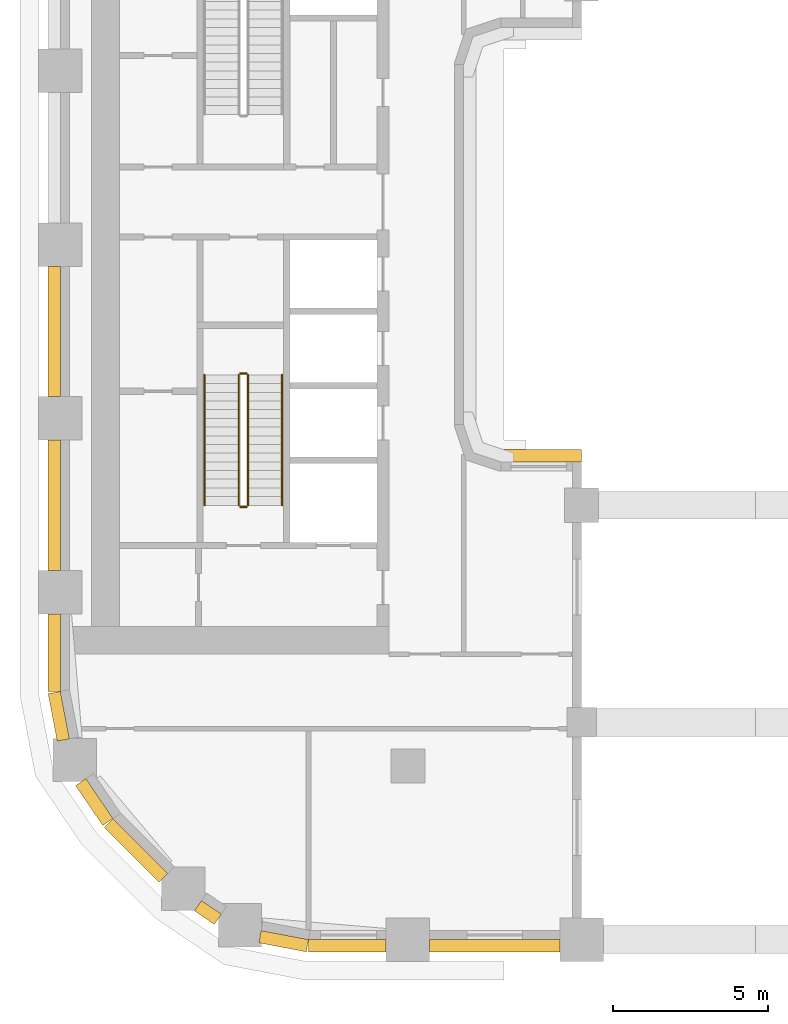
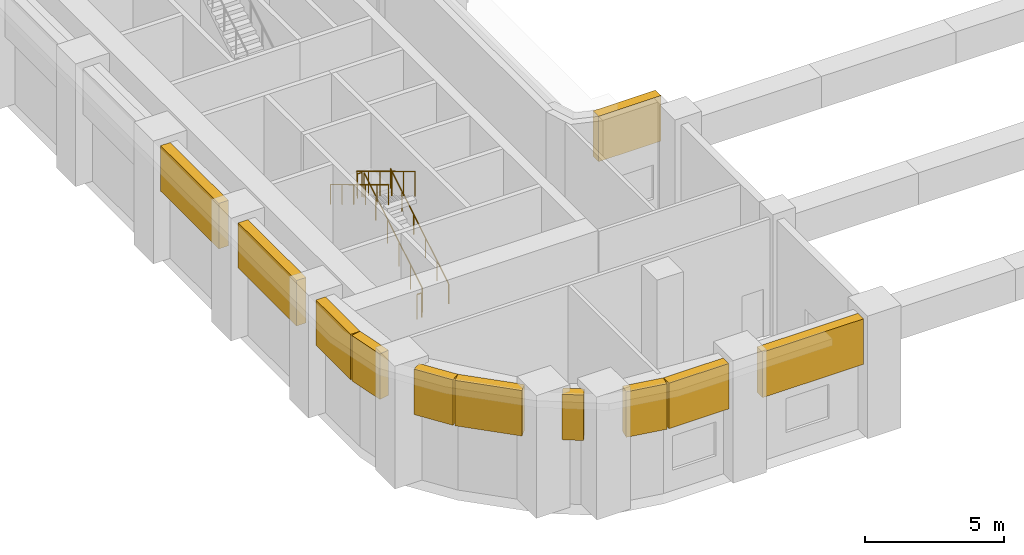
# One storey, part 8 of 14: 11 coverings, 6 railings.
"""IFC4 building model written with IfcOpenShell, lengths in metres."""

from ifc_helpers import new_model, si_unit, direction, frame, origin, origin_2d, place, context, subcontext, project, spatial, rectangle, circle, extrude, material, type_object, element, save


model = new_model("IFC4")

# Units and contexts
model_context = context("Model", 3, precision=1e-05, world=origin(), true_north=direction((0.0, 1.0)))
body_context = subcontext(model_context, "Body", "Model", "MODEL_VIEW")
ifc_project = project(units=[si_unit("LENGTHUNIT", "METRE"), si_unit("AREAUNIT", "SQUARE_METRE"), si_unit("VOLUMEUNIT", "CUBIC_METRE"), si_unit("PLANEANGLEUNIT", "RADIAN"), si_unit("MASSUNIT", "GRAM", prefix="KILO")], contexts=[model_context])

# Site, building, storey
site_placement = place(None, origin())
site = spatial("IfcSite", under=ifc_project, at=site_placement, CompositionType="ELEMENT")
building_placement = place(site_placement, origin())
building = spatial("IfcBuilding", under=site, at=building_placement, Name="Kiln Ring Residences", CompositionType="ELEMENT")
storey_placement = place(building_placement, frame((0.0, 0.0, 77.89990234375)))
storey = spatial("IfcBuildingStorey", under=building, at=storey_placement, Name="L19", CompositionType="ELEMENT", Elevation=77.89990234375)

# Railings
ifc_material_1 = material(Name="Stainless steel", Category="steel")
railing_type_1 = type_object("IfcRailingType", Name="CORE-STAIR-GUARD", PredefinedType="GUARDRAIL", material=ifc_material_1)
railing_1_placement = place(storey_placement, frame((-21.949951171875, -8.39990234375, 0.1689453125)))
element("IfcRailing", 1, at=railing_1_placement, inside=storey, type_object=railing_type_1, Name="L19 W-STS stair guard 1", PredefinedType="GUARDRAIL", context=body_context, shape_type="SweptSolid", body=[
    extrude(circle(Radius=0.02392578125, at=origin_2d()), frame((0.0, 0.0, 1.076171875), z_axis=(0.0, 0.856476492594, 0.516186030065), x_axis=(-1.0, 0.0, 0.0)), (0.0, 0.0, 1.0), 4.90380859375),
    extrude(circle(Radius=0.02099609375, at=origin_2d()), origin(), (0.0, 0.0, 1.0), 1.052001953125),
    extrude(circle(Radius=0.02099609375, at=origin_2d()), frame((0.0, 0.840087890625, 0.50634765625)), (0.0, 0.0, 1.0), 1.052001953125),
    extrude(circle(Radius=0.02099609375, at=origin_2d()), frame((0.0, 1.679931640625, 1.012451171875)), (0.0, 0.0, 1.0), 1.052001953125),
    extrude(circle(Radius=0.02099609375, at=origin_2d()), frame((0.0, 2.52001953125, 1.518798828125)), (0.0, 0.0, 1.0), 1.052001953125),
    extrude(circle(Radius=0.02099609375, at=origin_2d()), frame((0.0, 3.35986328125, 2.02490234375)), (0.0, 0.0, 1.0), 1.052001953125),
    extrude(circle(Radius=0.02099609375, at=origin_2d()), frame((0.0, 4.199951171875, 2.53125)), (0.0, 0.0, 1.0), 1.052001953125),
])
railing_2_placement = place(storey_placement, frame((-22.0, -4.14990234375, 2.7001953125)))
element("IfcRailing", 2, at=railing_2_placement, inside=storey, type_object=railing_type_1, Name="L19 W-STS stair guard 2", PredefinedType="GUARDRAIL", context=body_context, shape_type="SweptSolid", body=[
    extrude(circle(Radius=0.02392578125, at=origin_2d()), frame((0.0, 0.0, 1.076171875), z_axis=(-1.0, 0.0, 0.0), x_axis=(0.0, -1.0, 0.0)), (0.0, 0.0, 1.0), 0.199951171875),
    extrude(circle(Radius=0.02099609375, at=origin_2d()), origin(), (0.0, 0.0, 1.0), 1.052001953125),
    extrude(circle(Radius=0.02099609375, at=origin_2d()), frame((-0.199951171875, 0.0, 0.0)), (0.0, 0.0, 1.0), 1.052001953125),
])
railing_3_placement = place(storey_placement, frame((-22.25, -4.199951171875, 2.868896484375)))
element("IfcRailing", 3, at=railing_3_placement, inside=storey, type_object=railing_type_1, Name="L19 W-STS stair guard 3", PredefinedType="GUARDRAIL", context=body_context, shape_type="SweptSolid", body=[
    extrude(circle(Radius=0.02392578125, at=origin_2d()), frame((0.0, 0.0, 1.076171875), z_axis=(0.0, -0.856476492594, 0.516186030065), x_axis=(1.0, 0.0, 0.0)), (0.0, 0.0, 1.0), 4.90380859375),
    extrude(circle(Radius=0.02099609375, at=origin_2d()), origin(), (0.0, 0.0, 1.0), 1.052001953125),
    extrude(circle(Radius=0.02099609375, at=origin_2d()), frame((0.0, -0.840087890625, 0.50634765625)), (0.0, 0.0, 1.0), 1.052001953125),
    extrude(circle(Radius=0.02099609375, at=origin_2d()), frame((0.0, -1.679931640625, 1.012451171875)), (0.0, 0.0, 1.0), 1.052001953125),
    extrude(circle(Radius=0.02099609375, at=origin_2d()), frame((0.0, -2.52001953125, 1.518798828125)), (0.0, 0.0, 1.0), 1.052001953125),
    extrude(circle(Radius=0.02099609375, at=origin_2d()), frame((0.0, -3.35986328125, 2.02490234375)), (0.0, 0.0, 1.0), 1.052001953125),
    extrude(circle(Radius=0.02099609375, at=origin_2d()), frame((0.0, -4.199951171875, 2.53125)), (0.0, 0.0, 1.0), 1.052001953125),
])
railing_4_placement = place(storey_placement, frame((-22.0, -8.449951171875, 0.0)))
element("IfcRailing", 4, at=railing_4_placement, inside=storey, type_object=railing_type_1, Name="L19 W-STS stair guard 4", PredefinedType="GUARDRAIL", context=body_context, shape_type="SweptSolid", body=[
    extrude(circle(Radius=0.02392578125, at=origin_2d()), frame((0.0, 0.0, 1.076171875), z_axis=(-1.0, 0.0, 0.0), x_axis=(0.0, -1.0, 0.0)), (0.0, 0.0, 1.0), 0.199951171875),
    extrude(circle(Radius=0.02099609375, at=origin_2d()), origin(), (0.0, 0.0, 1.0), 1.052001953125),
    extrude(circle(Radius=0.02099609375, at=origin_2d()), frame((-0.199951171875, 0.0, 0.0)), (0.0, 0.0, 1.0), 1.052001953125),
])
ifc_material_2 = material(Name="Stainless steel", Category="steel")
railing_type_2 = type_object("IfcRailingType", Name="CORE-STAIR-HANDRAIL", PredefinedType="HANDRAIL", material=ifc_material_2)
railing_5_placement = place(storey_placement, frame((-20.85009765625, -8.39990234375, 0.1689453125)))
element("IfcRailing", 5, at=railing_5_placement, inside=storey, type_object=railing_type_2, Name="L19 W-STS stair handrail 1", PredefinedType="HANDRAIL", context=body_context, shape_type="SweptSolid", body=[
    extrude(circle(Radius=0.02392578125, at=origin_2d()), frame((0.0, 0.0, 0.8759765625), z_axis=(0.0, 0.856476492594, 0.516186030065), x_axis=(-1.0, 0.0, 0.0)), (0.0, 0.0, 1.0), 4.90380859375),
    extrude(circle(Radius=0.02099609375, at=origin_2d()), origin(), (0.0, 0.0, 1.0), 0.851806640625),
    extrude(circle(Radius=0.02099609375, at=origin_2d()), frame((0.0, 0.840087890625, 0.50634765625)), (0.0, 0.0, 1.0), 0.851806640625),
    extrude(circle(Radius=0.02099609375, at=origin_2d()), frame((0.0, 1.679931640625, 1.012451171875)), (0.0, 0.0, 1.0), 0.851806640625),
    extrude(circle(Radius=0.02099609375, at=origin_2d()), frame((0.0, 2.52001953125, 1.518798828125)), (0.0, 0.0, 1.0), 0.851806640625),
    extrude(circle(Radius=0.02099609375, at=origin_2d()), frame((0.0, 3.35986328125, 2.02490234375)), (0.0, 0.0, 1.0), 0.851806640625),
    extrude(circle(Radius=0.02099609375, at=origin_2d()), frame((0.0, 4.199951171875, 2.53125)), (0.0, 0.0, 1.0), 0.851806640625),
])
railing_6_placement = place(storey_placement, frame((-23.35009765625, -4.199951171875, 2.868896484375)))
element("IfcRailing", 6, at=railing_6_placement, inside=storey, type_object=railing_type_2, Name="L19 W-STS stair handrail 2", PredefinedType="HANDRAIL", context=body_context, shape_type="SweptSolid", body=[
    extrude(circle(Radius=0.02392578125, at=origin_2d()), frame((0.0, 0.0, 0.8759765625), z_axis=(0.0, -0.856476492594, 0.516186030065), x_axis=(1.0, 0.0, 0.0)), (0.0, 0.0, 1.0), 4.90380859375),
    extrude(circle(Radius=0.02099609375, at=origin_2d()), origin(), (0.0, 0.0, 1.0), 0.851806640625),
    extrude(circle(Radius=0.02099609375, at=origin_2d()), frame((0.0, -0.840087890625, 0.50634765625)), (0.0, 0.0, 1.0), 0.851806640625),
    extrude(circle(Radius=0.02099609375, at=origin_2d()), frame((0.0, -1.679931640625, 1.012451171875)), (0.0, 0.0, 1.0), 0.851806640625),
    extrude(circle(Radius=0.02099609375, at=origin_2d()), frame((0.0, -2.52001953125, 1.518798828125)), (0.0, 0.0, 1.0), 0.851806640625),
    extrude(circle(Radius=0.02099609375, at=origin_2d()), frame((0.0, -3.35986328125, 2.02490234375)), (0.0, 0.0, 1.0), 0.851806640625),
    extrude(circle(Radius=0.02099609375, at=origin_2d()), frame((0.0, -4.199951171875, 2.53125)), (0.0, 0.0, 1.0), 0.851806640625),
])

# Coverings
ifc_material_3 = material(Name="Concrete C35/45, exposed aggregate finish", Category="concrete")
covering_type = type_object("IfcCoveringType", Name="TIE BAND 2000 x 400", PredefinedType="CLADDING", material=ifc_material_3)
for number, where, z_axis, x_axis, name in (
    (7, (-28.05078125, -15.20166015625, 3.10009765625), (0.0, 0.0, 1.0), (0.187365550382, -0.98229025778, 0.0), "TIE BAND L19"),
    (8, (-26.90576171875, -17.966064453125, 3.10009765625), (0.0, 0.0, 1.0), (0.562096651134, -0.827071553606, 0.0), "TIE BAND L19"),
):
    element("IfcCovering", number, at=place(storey_placement, frame(where, z_axis=z_axis, x_axis=x_axis)), inside=storey, type_object=covering_type, Name=name, PredefinedType="CLADDING", context=body_context, shape_type="SweptSolid", body=[
        extrude(rectangle(XDim=1.55615234375, YDim=0.39990234375, at=origin_2d()), origin(), (0.0, 0.0, 1.0), 2.0),
    ])
covering_1_placement = place(storey_placement, frame((-25.560546875, -19.5224609375, 3.10009765625), z_axis=(0.0, 0.0, 1.0), x_axis=(0.707106781187, -0.707106781187, 0.0)))
element("IfcCovering", 9, at=covering_1_placement, inside=storey, type_object=covering_type, Name="TIE BAND L19", PredefinedType="CLADDING", context=body_context, shape_type="SweptSolid", body=[
    extrude(rectangle(XDim=2.5, YDim=0.39990234375, at=origin_2d()), origin(), (0.0, 0.0, 1.0), 2.0),
])
covering_2_placement = place(storey_placement, frame((-23.243896484375, -21.524658203125, 3.10009765625), z_axis=(0.0, 0.0, 1.0), x_axis=(0.827071553606, -0.562096651134, 0.0)))
element("IfcCovering", 10, at=covering_2_placement, inside=storey, type_object=covering_type, Name="TIE BAND L19", PredefinedType="CLADDING", context=body_context, shape_type="SweptSolid", body=[
    extrude(rectangle(XDim=0.777099609375, YDim=0.39990234375, at=origin_2d()), origin(), (0.0, 0.0, 1.0), 2.0),
])
covering_3_placement = place(storey_placement, frame((-20.8017578125, -22.45068359375, 3.10009765625), z_axis=(0.0, 0.0, 1.0), x_axis=(0.98229025778, -0.187365550382, 0.0)))
element("IfcCovering", 11, at=covering_3_placement, inside=storey, type_object=covering_type, Name="TIE BAND L19", PredefinedType="CLADDING", context=body_context, shape_type="SweptSolid", body=[
    extrude(rectangle(XDim=1.55615234375, YDim=0.39990234375, at=origin_2d()), origin(), (0.0, 0.0, 1.0), 2.0),
])
covering_4_placement = place(storey_placement, frame((-18.75, -22.60009765625, 3.10009765625), z_axis=(0.0, 0.0, 1.0), x_axis=(1.0, 0.0, 0.0)))
element("IfcCovering", 12, at=covering_4_placement, inside=storey, type_object=covering_type, Name="TIE BAND L19", PredefinedType="CLADDING", context=body_context, shape_type="SweptSolid", body=[
    extrude(rectangle(XDim=2.5, YDim=0.39990234375, at=origin_2d()), origin(), (0.0, 0.0, 1.0), 2.0),
])
covering_5_placement = place(storey_placement, frame((-14.0, -22.60009765625, 3.10009765625), z_axis=(0.0, 0.0, 1.0), x_axis=(1.0, 0.0, 0.0)))
element("IfcCovering", 13, at=covering_5_placement, inside=storey, type_object=covering_type, Name="TIE BAND L19", PredefinedType="CLADDING", context=body_context, shape_type="SweptSolid", body=[
    extrude(rectangle(XDim=4.199951171875, YDim=0.39990234375, at=origin_2d()), origin(), (0.0, 0.0, 1.0), 2.0),
])
covering_6_placement = place(storey_placement, frame((-12.5, -6.800048828125, 3.10009765625), z_axis=(0.0, 0.0, 1.0), x_axis=(-1.0, 0.0, 0.0)))
element("IfcCovering", 14, at=covering_6_placement, inside=storey, type_object=covering_type, Name="TIE BAND L19", PredefinedType="CLADDING", context=body_context, shape_type="SweptSolid", body=[
    extrude(rectangle(XDim=2.60009765625, YDim=0.39990234375, at=origin_2d()), origin(), (0.0, 0.0, 1.0), 2.0),
])
for number, where, z_axis, x_axis, name in (
    (15, (-28.199951171875, -2.800048828125, 3.10009765625), (0.0, 0.0, 1.0), (0.0, -1.0, 0.0), "TIE BAND L19"),
    (16, (-28.199951171875, -8.39990234375, 3.10009765625), (0.0, 0.0, 1.0), (0.0, -1.0, 0.0), "TIE BAND L19"),
):
    element("IfcCovering", number, at=place(storey_placement, frame(where, z_axis=z_axis, x_axis=x_axis)), inside=storey, type_object=covering_type, Name=name, PredefinedType="CLADDING", context=body_context, shape_type="SweptSolid", body=[
        extrude(rectangle(XDim=4.199951171875, YDim=0.39990234375, at=origin_2d()), origin(), (0.0, 0.0, 1.0), 2.0),
    ])
covering_7_placement = place(storey_placement, frame((-28.199951171875, -13.14990234375, 3.10009765625), z_axis=(0.0, 0.0, 1.0), x_axis=(0.0, -1.0, 0.0)))
element("IfcCovering", 17, at=covering_7_placement, inside=storey, type_object=covering_type, Name="TIE BAND L19", PredefinedType="CLADDING", context=body_context, shape_type="SweptSolid", body=[
    extrude(rectangle(XDim=2.5, YDim=0.39990234375, at=origin_2d()), origin(), (0.0, 0.0, 1.0), 2.0),
])

save(model, "model.ifc")
